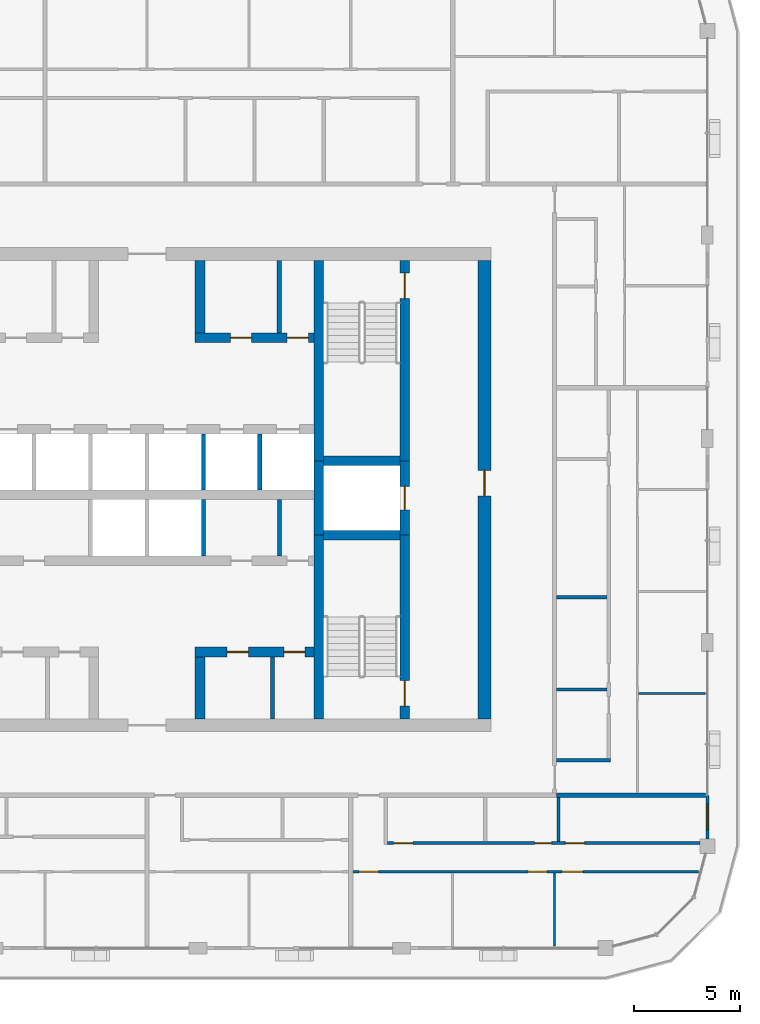
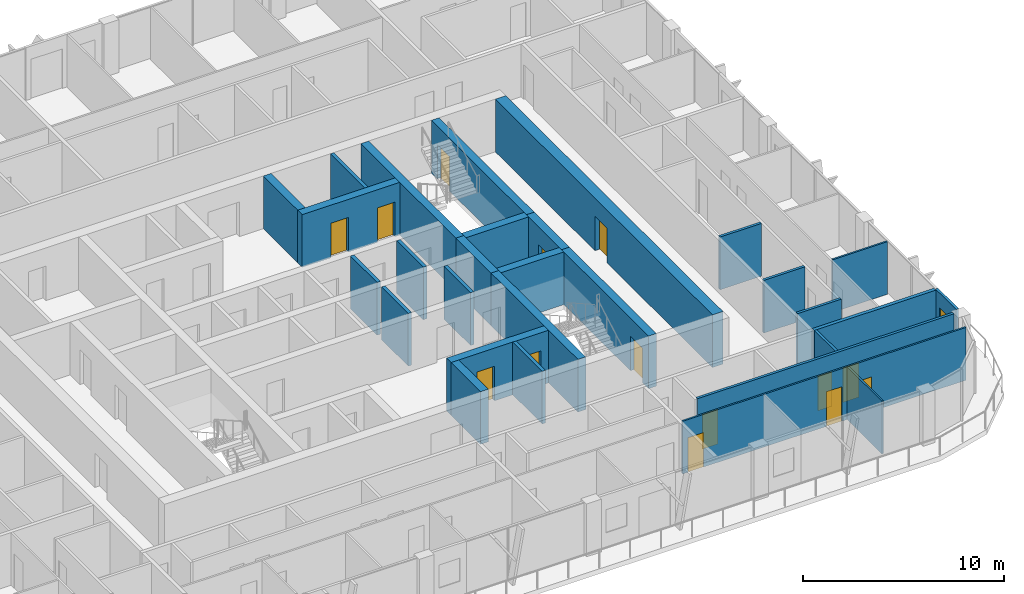
# One storey, part 12 of 21: 29 walls, 14 doors, 1 window, 15 openings.
"""IFC4 building model written with IfcOpenShell, lengths in metres."""

from ifc_helpers import new_model, si_unit, direction, frame, frame_2d, origin, place, context, subcontext, project, spatial, rectangle, extrude, material, layer, layer_set, type_object, element, fill, save


model = new_model("IFC4")

# Units and contexts
model_context = context("Model", 3, precision=1e-05, world=origin(), true_north=direction((0.0, 1.0)))
body_context = subcontext(model_context, "Body", "Model", "MODEL_VIEW")
ifc_project = project(units=[si_unit("LENGTHUNIT", "METRE"), si_unit("AREAUNIT", "SQUARE_METRE"), si_unit("VOLUMEUNIT", "CUBIC_METRE"), si_unit("PLANEANGLEUNIT", "RADIAN"), si_unit("MASSUNIT", "GRAM", prefix="KILO")], contexts=[model_context])

# Site, building, storey
site_placement = place(None, origin())
site = spatial("IfcSite", under=ifc_project, at=site_placement, CompositionType="ELEMENT")
building_placement = place(site_placement, origin())
building = spatial("IfcBuilding", under=site, at=building_placement, Name="Madar Terraces", CompositionType="ELEMENT")
storey_placement = place(building_placement, frame((0.0, 0.0, 238.699951171875)))
storey = spatial("IfcBuildingStorey", under=building, at=storey_placement, Name="L62", CompositionType="ELEMENT", Elevation=238.699951171875)

# Walls
ifc_material_1 = material(Name="Concrete C55/67", Category="concrete")
ifc_layer_1 = layer(ifc_material_1, 0.449951171875)
ifc_layer_set_1 = layer_set([ifc_layer_1], Name="Concrete C55/67 (CIW5 RC wall 450)")
wall_type_1 = type_object("IfcWallType", Name="CIW5 RC wall 450", PredefinedType="SHEAR", material=ifc_layer_set_1)
wall_1_placement = place(storey_placement, frame((39.300048828125, 15.60009765625, 0.0), z_axis=(0.0, 0.0, 1.0), x_axis=(0.0, 1.0, 0.0)))
element("IfcWall", 1, at=wall_1_placement, inside=storey, type_object=wall_type_1, Name="CORE SHAFT WALL", PredefinedType="SHEAR", context=body_context, shape_type="SweptSolid", body=[
    extrude(rectangle(XDim=8.64990234375, YDim=0.449951171875, at=frame_2d((4.324951171875, 0.0))), origin(), (0.0, 0.0, 1.0), 3.199951171875),
])
wall_2_placement = place(storey_placement, frame((39.300048828125, 24.25, 0.0), z_axis=(0.0, 0.0, 1.0), x_axis=(0.0, 1.0, 0.0)))
element("IfcWall", 2, at=wall_2_placement, inside=storey, type_object=wall_type_1, Name="CORE SHAFT WALL", PredefinedType="SHEAR", context=body_context, shape_type="SweptSolid", body=[
    extrude(rectangle(XDim=3.5, YDim=0.449951171875, at=frame_2d((1.75, 0.0))), origin(), (0.0, 0.0, 1.0), 3.199951171875),
])
wall_3_placement = place(storey_placement, frame((39.300048828125, 27.75, 0.0), z_axis=(0.0, 0.0, 1.0), x_axis=(0.0, 1.0, 0.0)))
element("IfcWall", 3, at=wall_3_placement, inside=storey, type_object=wall_type_1, Name="CORE SHAFT WALL", PredefinedType="SHEAR", context=body_context, shape_type="SweptSolid", body=[
    extrude(rectangle(XDim=9.449951171875, YDim=0.449951171875, at=frame_2d((4.72509765625, 0.0))), origin(), (0.0, 0.0, 1.0), 3.199951171875),
])

# Wall, opening, door
wall_4_placement = place(storey_placement, frame((43.35009765625, 15.60009765625, 0.0), z_axis=(0.0, 0.0, 1.0), x_axis=(0.0, 1.0, 0.0)))
wall_4 = element("IfcWall", 4, at=wall_4_placement, inside=storey, type_object=wall_type_1, Name="CORE SHAFT WALL", PredefinedType="SHEAR", context=body_context, shape_type="SweptSolid", body=[
    extrude(rectangle(XDim=8.64990234375, YDim=0.449951171875, at=frame_2d((4.324951171875, 0.0))), origin(), (0.0, 0.0, 1.0), 3.199951171875),
])
opening_1_placement = place(wall_4_placement, frame((0.60009765625, 0.0, 0.0)))
opening_1 = element("IfcOpeningElement", 5, at=opening_1_placement, cuts=wall_4, Name="Opening SD1", PredefinedType="OPENING", context=body_context, shape_type="SweptSolid", body=[
    extrude(rectangle(XDim=1.199951171875, YDim=2.10009765625, at=frame_2d((0.60009765625, 1.050048828125))), frame((0.0, 0.23486328125, 0.0), z_axis=(0.0, -1.0, 0.0), x_axis=(1.0, 0.0, 0.0)), (0.0, 0.0, 1.0), 0.469970703125),
])
ifc_material_2 = material(Name="Steel door leaf", Category="steel")
door_type_1 = type_object("IfcDoorType", Name="Stair door 1200 x 2100", OperationType="NOTDEFINED", PredefinedType="DOOR", material=ifc_material_2)
door_1_placement = place(opening_1_placement, origin())
door_1 = element("IfcDoor", 6, at=door_1_placement, inside=storey, type_object=door_type_1, Name="STAIR DOOR", OperationType="SINGLE_SWING_LEFT", OverallHeight=2.10009765625, OverallWidth=1.199951171875, PredefinedType="DOOR", context=body_context, shape_type="SweptSolid", body=[
    extrude(rectangle(XDim=1.199951171875, YDim=2.10009765625, at=frame_2d((0.60009765625, 1.050048828125))), frame((0.0, 0.02490234375, 0.0), z_axis=(0.0, -1.0, 0.0), x_axis=(1.0, 0.0, 0.0)), (0.0, 0.0, 1.0), 0.050048828125),
])
fill(opening_1, door_1)

wall_5_placement = place(storey_placement, frame((43.35009765625, 24.25, 0.0), z_axis=(0.0, 0.0, 1.0), x_axis=(0.0, 1.0, 0.0)))
wall_5 = element("IfcWall", 7, at=wall_5_placement, inside=storey, type_object=wall_type_1, Name="CORE SHAFT WALL", PredefinedType="SHEAR", context=body_context, shape_type="SweptSolid", body=[
    extrude(rectangle(XDim=3.5, YDim=0.449951171875, at=frame_2d((1.75, 0.0))), origin(), (0.0, 0.0, 1.0), 3.199951171875),
])
opening_2_placement = place(wall_5_placement, frame((1.199951171875, 0.0, 0.0)))
opening_2 = element("IfcOpeningElement", 8, at=opening_2_placement, cuts=wall_5, Name="Opening LD", PredefinedType="OPENING", context=body_context, shape_type="SweptSolid", body=[
    extrude(rectangle(XDim=1.10009765625, YDim=2.10009765625, at=frame_2d((0.550048828125, 1.050048828125))), frame((0.0, 0.23486328125, 0.0), z_axis=(0.0, -1.0, 0.0), x_axis=(1.0, 0.0, 0.0)), (0.0, 0.0, 1.0), 0.469970703125),
])
ifc_material_3 = material(Name="Stainless steel panel", Category="steel")
door_type_2 = type_object("IfcDoorType", Name="Lift landing door 1100 x 2100", OperationType="DOUBLE_DOOR_SLIDING", PredefinedType="DOOR", material=ifc_material_3)
door_2_placement = place(opening_2_placement, origin())
door_2 = element("IfcDoor", 9, at=door_2_placement, inside=storey, type_object=door_type_2, Name="LIFT LANDING DOOR", OperationType="DOUBLE_DOOR_SLIDING", OverallHeight=2.10009765625, OverallWidth=1.10009765625, PredefinedType="DOOR", context=body_context, shape_type="SweptSolid", body=[
    extrude(rectangle(XDim=1.10009765625, YDim=2.10009765625, at=frame_2d((0.550048828125, 1.050048828125))), frame((0.0, 0.02490234375, 0.0), z_axis=(0.0, -1.0, 0.0), x_axis=(1.0, 0.0, 0.0)), (0.0, 0.0, 1.0), 0.050048828125),
])
fill(opening_2, door_2)

wall_6_placement = place(storey_placement, frame((43.35009765625, 27.75, 0.0), z_axis=(0.0, 0.0, 1.0), x_axis=(0.0, 1.0, 0.0)))
wall_6 = element("IfcWall", 10, at=wall_6_placement, inside=storey, type_object=wall_type_1, Name="CORE SHAFT WALL", PredefinedType="SHEAR", context=body_context, shape_type="SweptSolid", body=[
    extrude(rectangle(XDim=9.449951171875, YDim=0.449951171875, at=frame_2d((4.72509765625, 0.0))), origin(), (0.0, 0.0, 1.0), 3.199951171875),
])
opening_3_placement = place(wall_6_placement, frame((7.64990234375, 0.0, 0.0)))
opening_3 = element("IfcOpeningElement", 11, at=opening_3_placement, cuts=wall_6, Name="Opening SD1", PredefinedType="OPENING", context=body_context, shape_type="SweptSolid", body=[
    extrude(rectangle(XDim=1.199951171875, YDim=2.10009765625, at=frame_2d((0.60009765625, 1.050048828125))), frame((0.0, 0.23486328125, 0.0), z_axis=(0.0, -1.0, 0.0), x_axis=(1.0, 0.0, 0.0)), (0.0, 0.0, 1.0), 0.469970703125),
])
door_3_placement = place(opening_3_placement, origin())
door_3 = element("IfcDoor", 12, at=door_3_placement, inside=storey, type_object=door_type_1, Name="STAIR DOOR", OperationType="SINGLE_SWING_RIGHT", OverallHeight=2.10009765625, OverallWidth=1.199951171875, PredefinedType="DOOR", context=body_context, shape_type="SweptSolid", body=[
    extrude(rectangle(XDim=1.199951171875, YDim=2.10009765625, at=frame_2d((0.60009765625, 1.050048828125))), frame((0.0, 0.02490234375, 0.0), z_axis=(0.0, -1.0, 0.0), x_axis=(1.0, 0.0, 0.0)), (0.0, 0.0, 1.0), 0.050048828125),
])
fill(opening_3, door_3)

# Walls
for number, where, z_axis, x_axis, name in (
    (13, (39.52490234375, 24.25, 0.0), (0.0, 0.0, 1.0), (1.0, 0.0, 0.0), "CORE SHAFT WALL"),
    (14, (39.52490234375, 27.75, 0.0), (0.0, 0.0, 1.0), (1.0, 0.0, 0.0), "CORE SHAFT WALL"),
):
    element("IfcWall", number, at=place(storey_placement, frame(where, z_axis=z_axis, x_axis=x_axis)), inside=storey, type_object=wall_type_1, Name=name, PredefinedType="SHEAR", context=body_context, shape_type="SweptSolid", body=[
        extrude(rectangle(XDim=3.60009765625, YDim=0.449951171875, at=frame_2d((1.800048828125, 0.0))), origin(), (0.0, 0.0, 1.0), 3.199951171875),
    ])

# Wall, openings, doors
wall_7_placement = place(storey_placement, frame((33.47509765625, 18.75, 0.0), z_axis=(0.0, 0.0, 1.0), x_axis=(1.0, 0.0, 0.0)))
wall_7 = element("IfcWall", 15, at=wall_7_placement, inside=storey, type_object=wall_type_1, Name="CORE SHAFT WALL", PredefinedType="SHEAR", context=body_context, shape_type="SweptSolid", body=[
    extrude(rectangle(XDim=5.599853515625, YDim=0.449951171875, at=frame_2d((2.7998046875, 0.0))), origin(), (0.0, 0.0, 1.0), 3.199951171875),
])
opening_4_placement = place(wall_7_placement, frame((1.49658203125, 0.0, 0.0)))
opening_4 = element("IfcOpeningElement", 16, at=opening_4_placement, cuts=wall_7, Name="Opening KD2", PredefinedType="OPENING", context=body_context, shape_type="SweptSolid", body=[
    extrude(rectangle(XDim=1.0, YDim=2.10009765625, at=frame_2d((0.5, 1.050048828125))), frame((0.0, 0.23486328125, 0.0), z_axis=(0.0, -1.0, 0.0), x_axis=(1.0, 0.0, 0.0)), (0.0, 0.0, 1.0), 0.469970703125),
])
opening_5_placement = place(wall_7_placement, frame((4.17138671875, 0.0, 0.0)))
opening_5 = element("IfcOpeningElement", 17, at=opening_5_placement, cuts=wall_7, Name="Opening KD2", PredefinedType="OPENING", context=body_context, shape_type="SweptSolid", body=[
    extrude(rectangle(XDim=1.0, YDim=2.10009765625, at=frame_2d((0.5, 1.050048828125))), frame((0.0, 0.23486328125, 0.0), z_axis=(0.0, -1.0, 0.0), x_axis=(1.0, 0.0, 0.0)), (0.0, 0.0, 1.0), 0.469970703125),
])
ifc_material_4 = material(Name="Steel door leaf", Category="steel")
door_type_3 = type_object("IfcDoorType", Name="Service room door 1000 x 2100", OperationType="NOTDEFINED", PredefinedType="DOOR", material=ifc_material_4)
door_4_placement = place(opening_4_placement, origin())
door_4 = element("IfcDoor", 18, at=door_4_placement, inside=storey, type_object=door_type_3, Name="SERVICE ROOM DOOR", OperationType="SINGLE_SWING_RIGHT", OverallHeight=2.10009765625, OverallWidth=1.0, PredefinedType="DOOR", context=body_context, shape_type="SweptSolid", body=[
    extrude(rectangle(XDim=1.0, YDim=2.10009765625, at=frame_2d((0.5, 1.050048828125))), frame((0.0, 0.02490234375, 0.0), z_axis=(0.0, -1.0, 0.0), x_axis=(1.0, 0.0, 0.0)), (0.0, 0.0, 1.0), 0.050048828125),
])
fill(opening_4, door_4)
door_5_placement = place(opening_5_placement, origin())
door_5 = element("IfcDoor", 19, at=door_5_placement, inside=storey, type_object=door_type_3, Name="SERVICE ROOM DOOR", OperationType="SINGLE_SWING_LEFT", OverallHeight=2.10009765625, OverallWidth=1.0, PredefinedType="DOOR", context=body_context, shape_type="SweptSolid", body=[
    extrude(rectangle(XDim=1.0, YDim=2.10009765625, at=frame_2d((0.5, 1.050048828125))), frame((0.0, 0.02490234375, 0.0), z_axis=(0.0, -1.0, 0.0), x_axis=(1.0, 0.0, 0.0)), (0.0, 0.0, 1.0), 0.050048828125),
])
fill(opening_5, door_5)

wall_8_placement = place(storey_placement, frame((33.47509765625, 33.550048828125, 0.0), z_axis=(0.0, 0.0, 1.0), x_axis=(1.0, 0.0, 0.0)))
wall_8 = element("IfcWall", 20, at=wall_8_placement, inside=storey, type_object=wall_type_1, Name="CORE SHAFT WALL", PredefinedType="SHEAR", context=body_context, shape_type="SweptSolid", body=[
    extrude(rectangle(XDim=5.599853515625, YDim=0.449951171875, at=frame_2d((2.7998046875, 0.0))), origin(), (0.0, 0.0, 1.0), 3.199951171875),
])
opening_6_placement = place(wall_8_placement, frame((1.65087890625, 0.0, 0.0)))
opening_6 = element("IfcOpeningElement", 21, at=opening_6_placement, cuts=wall_8, Name="Opening KD2", PredefinedType="OPENING", context=body_context, shape_type="SweptSolid", body=[
    extrude(rectangle(XDim=1.0, YDim=2.10009765625, at=frame_2d((0.5, 1.050048828125))), frame((0.0, 0.23486328125, 0.0), z_axis=(0.0, -1.0, 0.0), x_axis=(1.0, 0.0, 0.0)), (0.0, 0.0, 1.0), 0.469970703125),
])
opening_7_placement = place(wall_8_placement, frame((4.325927734375, 0.0, 0.0)))
opening_7 = element("IfcOpeningElement", 22, at=opening_7_placement, cuts=wall_8, Name="Opening KD2", PredefinedType="OPENING", context=body_context, shape_type="SweptSolid", body=[
    extrude(rectangle(XDim=1.0, YDim=2.10009765625, at=frame_2d((0.5, 1.050048828125))), frame((0.0, 0.23486328125, 0.0), z_axis=(0.0, -1.0, 0.0), x_axis=(1.0, 0.0, 0.0)), (0.0, 0.0, 1.0), 0.469970703125),
])
door_6_placement = place(opening_6_placement, frame((1.0, 0.0, 0.0), z_axis=(0.0, 0.0, 1.0), x_axis=(-1.0, 0.0, 0.0)))
door_6 = element("IfcDoor", 23, at=door_6_placement, inside=storey, type_object=door_type_3, Name="SERVICE ROOM DOOR", OperationType="SINGLE_SWING_RIGHT", OverallHeight=2.10009765625, OverallWidth=1.0, PredefinedType="DOOR", context=body_context, shape_type="SweptSolid", body=[
    extrude(rectangle(XDim=1.0, YDim=2.10009765625, at=frame_2d((0.5, 1.050048828125))), frame((0.0, 0.02490234375, 0.0), z_axis=(0.0, -1.0, 0.0), x_axis=(1.0, 0.0, 0.0)), (0.0, 0.0, 1.0), 0.050048828125),
])
fill(opening_6, door_6)
door_7_placement = place(opening_7_placement, frame((1.0, 0.0, 0.0), z_axis=(0.0, 0.0, 1.0), x_axis=(-1.0, 0.0, 0.0)))
door_7 = element("IfcDoor", 24, at=door_7_placement, inside=storey, type_object=door_type_3, Name="SERVICE ROOM DOOR", OperationType="SINGLE_SWING_LEFT", OverallHeight=2.10009765625, OverallWidth=1.0, PredefinedType="DOOR", context=body_context, shape_type="SweptSolid", body=[
    extrude(rectangle(XDim=1.0, YDim=2.10009765625, at=frame_2d((0.5, 1.050048828125))), frame((0.0, 0.02490234375, 0.0), z_axis=(0.0, -1.0, 0.0), x_axis=(1.0, 0.0, 0.0)), (0.0, 0.0, 1.0), 0.050048828125),
])
fill(opening_7, door_7)

# Walls
wall_9_placement = place(storey_placement, frame((33.699951171875, 15.60009765625, 0.0), z_axis=(0.0, 0.0, 1.0), x_axis=(0.0, 1.0, 0.0)))
element("IfcWall", 25, at=wall_9_placement, inside=storey, type_object=wall_type_1, Name="CORE SHAFT WALL", PredefinedType="SHEAR", context=body_context, shape_type="SweptSolid", body=[
    extrude(rectangle(XDim=2.9248046875, YDim=0.449951171875, at=frame_2d((1.46240234375, 0.0))), origin(), (0.0, 0.0, 1.0), 3.199951171875),
])
wall_10_placement = place(storey_placement, frame((33.699951171875, 33.77490234375, 0.0), z_axis=(0.0, 0.0, 1.0), x_axis=(0.0, 1.0, 0.0)))
element("IfcWall", 26, at=wall_10_placement, inside=storey, type_object=wall_type_1, Name="CORE SHAFT WALL", PredefinedType="SHEAR", context=body_context, shape_type="SweptSolid", body=[
    extrude(rectangle(XDim=3.425048828125, YDim=0.449951171875, at=frame_2d((1.71240234375, 0.0))), origin(), (0.0, 0.0, 1.0), 3.199951171875),
])

# Wall, opening, door
ifc_material_5 = material(Name="Concrete C55/67", Category="concrete")
ifc_layer_2 = layer(ifc_material_5, 0.60009765625)
ifc_layer_set_2 = layer_set([ifc_layer_2], Name="Concrete C55/67 (CRW5 RC wall 600)")
wall_type_2 = type_object("IfcWallType", Name="CRW5 RC wall 600", PredefinedType="SHEAR", material=ifc_layer_set_2)
wall_11_placement = place(storey_placement, frame((47.10009765625, 15.60009765625, 0.0), z_axis=(0.0, 0.0, 1.0), x_axis=(0.0, 1.0, 0.0)))
wall_11 = element("IfcWall", 27, at=wall_11_placement, inside=storey, type_object=wall_type_2, Name="CORE OUTER WALL", PredefinedType="SHEAR", context=body_context, shape_type="SweptSolid", body=[
    extrude(rectangle(XDim=21.599853515625, YDim=0.60009765625, at=frame_2d((10.7998046875, 0.0))), origin(), (0.0, 0.0, 1.0), 3.199951171875),
])
opening_8_placement = place(wall_11_placement, frame((10.5, 0.0, 0.0)))
opening_8 = element("IfcOpeningElement", 28, at=opening_8_placement, cuts=wall_11, Name="Opening SD1", PredefinedType="OPENING", context=body_context, shape_type="SweptSolid", body=[
    extrude(rectangle(XDim=1.199951171875, YDim=2.10009765625, at=frame_2d((0.60009765625, 1.050048828125))), frame((0.0, 0.31005859375, 0.0), z_axis=(0.0, -1.0, 0.0), x_axis=(1.0, 0.0, 0.0)), (0.0, 0.0, 1.0), 0.6201171875),
])
door_8_placement = place(opening_8_placement, origin())
door_8 = element("IfcDoor", 29, at=door_8_placement, inside=storey, type_object=door_type_1, Name="STAIR DOOR", OperationType="SINGLE_SWING_RIGHT", OverallHeight=2.10009765625, OverallWidth=1.199951171875, PredefinedType="DOOR", context=body_context, shape_type="SweptSolid", body=[
    extrude(rectangle(XDim=1.199951171875, YDim=2.10009765625, at=frame_2d((0.60009765625, 1.050048828125))), frame((0.0, 0.02490234375, 0.0), z_axis=(0.0, -1.0, 0.0), x_axis=(1.0, 0.0, 0.0)), (0.0, 0.0, 1.0), 0.050048828125),
])
fill(opening_8, door_8)

# Walls
ifc_material_6 = material(Name="Masonry blockwork", Category="masonry")
ifc_layer_3 = layer(ifc_material_6, 0.199951171875)
ifc_layer_set_3 = layer_set([ifc_layer_3], Name="Core partition 200 blockwork")
wall_type_3 = type_object("IfcWallType", Name="Core partition 200 blockwork", PredefinedType="PARTITIONING", material=ifc_layer_set_3)
wall_12_placement = place(storey_placement, frame((37.437744140625, 23.27490234375, 0.0), z_axis=(0.0, 0.0, 1.0), x_axis=(0.0, 1.0, 0.0)))
element("IfcWall", 30, at=wall_12_placement, inside=storey, type_object=wall_type_3, Name="SERVICE ROOM PARTITION", PredefinedType="PARTITIONING", context=body_context, shape_type="SweptSolid", body=[
    extrude(rectangle(XDim=2.650146484375, YDim=0.199951171875, at=frame_2d((1.3251953125, 0.0))), origin(), (0.0, 0.0, 1.0), 3.199951171875),
])
wall_13_placement = place(storey_placement, frame((37.117919921875, 15.60009765625, 0.0), z_axis=(0.0, 0.0, 1.0), x_axis=(0.0, 1.0, 0.0)))
element("IfcWall", 31, at=wall_13_placement, inside=storey, type_object=wall_type_3, Name="SERVICE ROOM PARTITION", PredefinedType="PARTITIONING", context=body_context, shape_type="SweptSolid", body=[
    extrude(rectangle(XDim=2.9248046875, YDim=0.199951171875, at=frame_2d((1.46240234375, 0.0))), origin(), (0.0, 0.0, 1.0), 3.199951171875),
])
wall_14_placement = place(storey_placement, frame((37.427001953125, 33.77490234375, 0.0), z_axis=(0.0, 0.0, 1.0), x_axis=(0.0, 1.0, 0.0)))
element("IfcWall", 32, at=wall_14_placement, inside=storey, type_object=wall_type_3, Name="SERVICE ROOM PARTITION", PredefinedType="PARTITIONING", context=body_context, shape_type="SweptSolid", body=[
    extrude(rectangle(XDim=3.425048828125, YDim=0.199951171875, at=frame_2d((1.71240234375, 0.0))), origin(), (0.0, 0.0, 1.0), 3.199951171875),
])
ifc_material_7 = material(Name="Concrete C40/50", Category="concrete")
ifc_layer_4 = layer(ifc_material_7, 0.199951171875)
ifc_layer_set_4 = layer_set([ifc_layer_4], Name="Core shaft dividing wall 200 C40/50")
wall_type_4 = type_object("IfcWallType", Name="Core shaft dividing wall 200 C40/50", PredefinedType="SOLIDWALL", material=ifc_layer_set_4)
wall_15_placement = place(storey_placement, frame((33.8583984375, 23.27490234375, 0.0), z_axis=(0.0, 0.0, 1.0), x_axis=(0.0, 1.0, 0.0)))
element("IfcWall", 33, at=wall_15_placement, inside=storey, type_object=wall_type_4, Name="SHAFT DIVIDING WALL", PredefinedType="SOLIDWALL", context=body_context, shape_type="SweptSolid", body=[
    extrude(rectangle(XDim=2.650146484375, YDim=0.199951171875, at=frame_2d((1.3251953125, 0.0))), origin(), (0.0, 0.0, 1.0), 3.199951171875),
])
for number, where, z_axis, x_axis, name in (
    (34, (33.8583984375, 26.375, 0.0), (0.0, 0.0, 1.0), (0.0, 1.0, 0.0), "SHAFT DIVIDING WALL"),
    (35, (36.5166015625, 26.375, 0.0), (0.0, 0.0, 1.0), (0.0, 1.0, 0.0), "SHAFT DIVIDING WALL"),
):
    element("IfcWall", number, at=place(storey_placement, frame(where, z_axis=z_axis, x_axis=x_axis)), inside=storey, type_object=wall_type_4, Name=name, PredefinedType="SOLIDWALL", context=body_context, shape_type="SweptSolid", body=[
        extrude(rectangle(XDim=2.64990234375, YDim=0.199951171875, at=frame_2d((1.324951171875, 0.0))), origin(), (0.0, 0.0, 1.0), 3.199951171875),
    ])

# Wall, opening, window
ifc_material_8 = material(Name="Aluminium composite panel, black, over insulated backing", Category="aluminium")
ifc_layer_5 = layer(ifc_material_8, 0.14990234375)
ifc_layer_set_5 = layer_set([ifc_layer_5], Name="Facade bay panel 150")
wall_type_5 = type_object("IfcWallType", Name="Facade bay panel 150", PredefinedType="SOLIDWALL", material=ifc_layer_set_5)
wall_16_placement = place(storey_placement, frame((57.60009765625, 9.949951171875, 0.0), z_axis=(0.0, 0.0, 1.0), x_axis=(0.0, 1.0, 0.0)))
wall_16 = element("IfcWall", 36, at=wall_16_placement, inside=storey, type_object=wall_type_5, Name="Facade bay panel", PredefinedType="SOLIDWALL", context=body_context, shape_type="SweptSolid", body=[
    extrude(rectangle(XDim=2.050048828125, YDim=0.14990234375, at=frame_2d((1.02490234375, 0.0))), origin(), (0.0, 0.0, 1.0), 3.199951171875),
])
opening_9_placement = place(wall_16_placement, frame((0.425048828125, 0.0, 0.89990234375)))
opening_9 = element("IfcOpeningElement", 37, at=opening_9_placement, cuts=wall_16, Name="Opening W1", PredefinedType="OPENING", context=body_context, shape_type="SweptSolid", body=[
    extrude(rectangle(XDim=1.199951171875, YDim=1.39990234375, at=frame_2d((0.60009765625, 0.699951171875))), frame((0.0, 0.0849609375, 0.0), z_axis=(0.0, -1.0, 0.0), x_axis=(1.0, 0.0, 0.0)), (0.0, 0.0, 1.0), 0.169921875),
])
ifc_material_9 = material(Name="Glass, clear, with black aluminium frame", Category="aluminium")
window_type = type_object("IfcWindowType", Name="Vent window 1200 x 1400", PartitioningType="SINGLE_PANEL", PredefinedType="WINDOW", material=ifc_material_9)
window_placement = place(opening_9_placement, origin())
window = element("IfcWindow", 38, at=window_placement, inside=storey, type_object=window_type, Name="Operable vent window", OverallHeight=1.39990234375, OverallWidth=1.199951171875, PartitioningType="SINGLE_PANEL", PredefinedType="WINDOW", context=body_context, shape_type="SweptSolid", body=[
    extrude(rectangle(XDim=1.199951171875, YDim=1.39990234375, at=frame_2d((0.60009765625, 0.699951171875))), frame((0.0, 0.030029296875, 0.0), z_axis=(0.0, -1.0, 0.0), x_axis=(1.0, 0.0, 0.0)), (0.0, 0.0, 1.0), 0.06005859375),
])
fill(opening_9, window)

# Wall
ifc_material_10 = material(Name="Gypsum board on steel studs", Category="steel")
ifc_layer_6 = layer(ifc_material_10, 0.10009765625)
ifc_layer_set_6 = layer_set([ifc_layer_6], Name="Flat partition 100")
wall_type_6 = type_object("IfcWallType", Name="Flat partition 100", PredefinedType="PARTITIONING", material=ifc_layer_set_6)
wall_17_placement = place(storey_placement, frame((50.39990234375, 8.35009765625, 0.0), z_axis=(0.0, 0.0, 1.0), x_axis=(0.0, -1.0, 0.0)))
element("IfcWall", 39, at=wall_17_placement, inside=storey, type_object=wall_type_6, Name="Flat partition 100", PredefinedType="PARTITIONING", context=body_context, shape_type="SweptSolid", body=[
    extrude(rectangle(XDim=3.4501953125, YDim=0.10009765625, at=frame_2d((1.72509765625, 0.0))), origin(), (0.0, 0.0, 1.0), 3.199951171875),
])

# Wall, openings, doors
wall_18_placement = place(storey_placement, frame((57.178466796875, 8.39990234375, 0.0), z_axis=(0.0, 0.0, 1.0), x_axis=(-1.0, 0.0, 0.0)))
wall_18 = element("IfcWall", 40, at=wall_18_placement, inside=storey, type_object=wall_type_6, Name="Flat partition 100", PredefinedType="PARTITIONING", context=body_context, shape_type="SweptSolid", body=[
    extrude(rectangle(XDim=16.278564453125, YDim=0.10009765625, at=frame_2d((8.13916015625, 0.0))), origin(), (0.0, 0.0, 1.0), 3.199951171875),
])
opening_10_placement = place(wall_18_placement, frame((15.07861328125, 0.0, 0.0)))
opening_10 = element("IfcOpeningElement", 41, at=opening_10_placement, cuts=wall_18, Name="Opening D2", PredefinedType="OPENING", context=body_context, shape_type="SweptSolid", body=[
    extrude(rectangle(XDim=0.89990234375, YDim=2.10009765625, at=frame_2d((0.449951171875, 1.050048828125))), frame((0.0, 0.06005859375, 0.0), z_axis=(0.0, -1.0, 0.0), x_axis=(1.0, 0.0, 0.0)), (0.0, 0.0, 1.0), 0.1201171875),
])
opening_11_placement = place(wall_18_placement, frame((7.12841796875, 0.0, 0.0)))
opening_11 = element("IfcOpeningElement", 42, at=opening_11_placement, cuts=wall_18, Name="Opening D2", PredefinedType="OPENING", context=body_context, shape_type="SweptSolid", body=[
    extrude(rectangle(XDim=0.89990234375, YDim=2.10009765625, at=frame_2d((0.449951171875, 1.050048828125))), frame((0.0, 0.06005859375, 0.0), z_axis=(0.0, -1.0, 0.0), x_axis=(1.0, 0.0, 0.0)), (0.0, 0.0, 1.0), 0.1201171875),
])
opening_12_placement = place(wall_18_placement, frame((5.428466796875, 0.0, 0.0)))
opening_12 = element("IfcOpeningElement", 43, at=opening_12_placement, cuts=wall_18, Name="Opening D3", PredefinedType="OPENING", context=body_context, shape_type="SweptSolid", body=[
    extrude(rectangle(XDim=1.0, YDim=2.10009765625, at=frame_2d((0.5, 1.050048828125))), frame((0.0, 0.06005859375, 0.0), z_axis=(0.0, -1.0, 0.0), x_axis=(1.0, 0.0, 0.0)), (0.0, 0.0, 1.0), 0.1201171875),
])
ifc_material_11 = material(Name="Timber door leaf", Category="wood")
door_type_4 = type_object("IfcDoorType", Name="Flat living room door 1000", OperationType="NOTDEFINED", PredefinedType="DOOR", material=ifc_material_11)
door_9_placement = place(opening_12_placement, origin())
door_9 = element("IfcDoor", 44, at=door_9_placement, inside=storey, type_object=door_type_4, Name="Flat living room door 1000", OperationType="SINGLE_SWING_RIGHT", OverallHeight=2.10009765625, OverallWidth=1.0, PredefinedType="DOOR", context=body_context, shape_type="SweptSolid", body=[
    extrude(rectangle(XDim=1.0, YDim=2.10009765625, at=frame_2d((0.5, 1.050048828125))), frame((0.0, 0.02490234375, 0.0), z_axis=(0.0, -1.0, 0.0), x_axis=(1.0, 0.0, 0.0)), (0.0, 0.0, 1.0), 0.050048828125),
])
fill(opening_12, door_9)
ifc_material_12 = material(Name="Timber door leaf", Category="wood")
door_type_5 = type_object("IfcDoorType", Name="Flat room door 900", OperationType="NOTDEFINED", PredefinedType="DOOR", material=ifc_material_12)
door_10_placement = place(opening_10_placement, origin())
door_10 = element("IfcDoor", 45, at=door_10_placement, inside=storey, type_object=door_type_5, Name="Flat room door 900", OperationType="SINGLE_SWING_RIGHT", OverallHeight=2.10009765625, OverallWidth=0.89990234375, PredefinedType="DOOR", context=body_context, shape_type="SweptSolid", body=[
    extrude(rectangle(XDim=0.89990234375, YDim=2.10009765625, at=frame_2d((0.449951171875, 1.050048828125))), frame((0.0, 0.02490234375, 0.0), z_axis=(0.0, -1.0, 0.0), x_axis=(1.0, 0.0, 0.0)), (0.0, 0.0, 1.0), 0.050048828125),
])
fill(opening_10, door_10)
door_11_placement = place(opening_11_placement, origin())
door_11 = element("IfcDoor", 46, at=door_11_placement, inside=storey, type_object=door_type_5, Name="Flat room door 900", OperationType="SINGLE_SWING_LEFT", OverallHeight=2.10009765625, OverallWidth=0.89990234375, PredefinedType="DOOR", context=body_context, shape_type="SweptSolid", body=[
    extrude(rectangle(XDim=0.89990234375, YDim=2.10009765625, at=frame_2d((0.449951171875, 1.050048828125))), frame((0.0, 0.02490234375, 0.0), z_axis=(0.0, -1.0, 0.0), x_axis=(1.0, 0.0, 0.0)), (0.0, 0.0, 1.0), 0.050048828125),
])
fill(opening_11, door_11)

# Walls
wall_19_placement = place(storey_placement, frame((54.35009765625, 16.800048828125, 0.0), z_axis=(0.0, 0.0, 1.0), x_axis=(1.0, 0.0, 0.0)))
element("IfcWall", 47, at=wall_19_placement, inside=storey, type_object=wall_type_6, Name="Flat partition 100", PredefinedType="PARTITIONING", context=body_context, shape_type="SweptSolid", body=[
    extrude(rectangle(XDim=3.14990234375, YDim=0.10009765625, at=frame_2d((1.574951171875, 0.0))), origin(), (0.0, 0.0, 1.0), 3.199951171875),
])
ifc_material_13 = material(Name="Lightweight blockwork", Category="masonry")
ifc_layer_7 = layer(ifc_material_13, 0.199951171875)
ifc_layer_set_7 = layer_set([ifc_layer_7], Name="Flat party and entrance wall 200")
wall_type_7 = type_object("IfcWallType", Name="Flat party and entrance wall 200", PredefinedType="PARTITIONING", material=ifc_layer_set_7)
wall_20_placement = place(storey_placement, frame((50.5, 12.0, 0.0), z_axis=(0.0, 0.0, 1.0), x_axis=(1.0, 0.0, 0.0)))
element("IfcWall", 48, at=wall_20_placement, inside=storey, type_object=wall_type_7, Name="Flat party and entrance wall 200", PredefinedType="PARTITIONING", context=body_context, shape_type="SweptSolid", body=[
    extrude(rectangle(XDim=7.0, YDim=0.199951171875, at=frame_2d((3.5, 0.0))), origin(), (0.0, 0.0, 1.0), 3.199951171875),
])
ifc_material_14 = material(Name="Lightweight blockwork", Category="masonry")
ifc_layer_8 = layer(ifc_material_14, 0.14990234375)
ifc_layer_set_8 = layer_set([ifc_layer_8], Name="Flat wet-room partition 150")
wall_type_8 = type_object("IfcWallType", Name="Flat wet-room partition 150", PredefinedType="PARTITIONING", material=ifc_layer_set_8)
wall_21_placement = place(storey_placement, frame((50.58837890625, 11.89990234375, 0.0), z_axis=(0.0, 0.0, 1.0), x_axis=(0.0, -1.0, 0.0)))
element("IfcWall", 49, at=wall_21_placement, inside=storey, type_object=wall_type_8, Name="Flat wet-room partition 150", PredefinedType="PARTITIONING", context=body_context, shape_type="SweptSolid", body=[
    extrude(rectangle(XDim=2.074951171875, YDim=0.14990234375, at=frame_2d((1.03759765625, 0.0))), origin(), (0.0, 0.0, 1.0), 3.199951171875),
])

# Wall, openings, doors
wall_22_placement = place(storey_placement, frame((42.52490234375, 9.75, 0.0), z_axis=(0.0, 0.0, 1.0), x_axis=(1.0, 0.0, 0.0)))
wall_22 = element("IfcWall", 50, at=wall_22_placement, inside=storey, type_object=wall_type_8, Name="Flat wet-room partition 150", PredefinedType="PARTITIONING", context=body_context, shape_type="SweptSolid", body=[
    extrude(rectangle(XDim=14.72509765625, YDim=0.14990234375, at=frame_2d((7.362548828125, 0.0))), origin(), (0.0, 0.0, 1.0), 3.199951171875),
])
opening_13_placement = place(wall_22_placement, frame((0.300048828125, 0.0, 0.0)))
opening_13 = element("IfcOpeningElement", 51, at=opening_13_placement, cuts=wall_22, Name="Opening D5", PredefinedType="OPENING", context=body_context, shape_type="SweptSolid", body=[
    extrude(rectangle(XDim=0.89990234375, YDim=2.10009765625, at=frame_2d((0.449951171875, 1.050048828125))), frame((0.0, 0.0849609375, 0.0), z_axis=(0.0, -1.0, 0.0), x_axis=(1.0, 0.0, 0.0)), (0.0, 0.0, 1.0), 0.169921875),
])
opening_14_placement = place(wall_22_placement, frame((6.9384765625, 0.0, 0.0)))
opening_14 = element("IfcOpeningElement", 52, at=opening_14_placement, cuts=wall_22, Name="Opening D4", PredefinedType="OPENING", context=body_context, shape_type="SweptSolid", body=[
    extrude(rectangle(XDim=0.800048828125, YDim=2.10009765625, at=frame_2d((0.39990234375, 1.050048828125))), frame((0.0, 0.0849609375, 0.0), z_axis=(0.0, -1.0, 0.0), x_axis=(1.0, 0.0, 0.0)), (0.0, 0.0, 1.0), 0.169921875),
])
opening_15_placement = place(wall_22_placement, frame((8.388427734375, 0.0, 0.0)))
opening_15 = element("IfcOpeningElement", 53, at=opening_15_placement, cuts=wall_22, Name="Opening D2", PredefinedType="OPENING", context=body_context, shape_type="SweptSolid", body=[
    extrude(rectangle(XDim=0.89990234375, YDim=2.10009765625, at=frame_2d((0.449951171875, 1.050048828125))), frame((0.0, 0.0849609375, 0.0), z_axis=(0.0, -1.0, 0.0), x_axis=(1.0, 0.0, 0.0)), (0.0, 0.0, 1.0), 0.169921875),
])
ifc_material_15 = material(Name="Timber door leaf", Category="wood")
door_type_6 = type_object("IfcDoorType", Name="Flat accessible bathroom door 900", OperationType="NOTDEFINED", PredefinedType="DOOR", material=ifc_material_15)
door_12_placement = place(opening_13_placement, origin())
door_12 = element("IfcDoor", 54, at=door_12_placement, inside=storey, type_object=door_type_6, Name="Flat accessible bathroom door 900", OperationType="SINGLE_SWING_LEFT", OverallHeight=2.10009765625, OverallWidth=0.89990234375, PredefinedType="DOOR", context=body_context, shape_type="SweptSolid", body=[
    extrude(rectangle(XDim=0.89990234375, YDim=2.10009765625, at=frame_2d((0.449951171875, 1.050048828125))), frame((0.0, 0.02490234375, 0.0), z_axis=(0.0, -1.0, 0.0), x_axis=(1.0, 0.0, 0.0)), (0.0, 0.0, 1.0), 0.050048828125),
])
fill(opening_13, door_12)
ifc_material_16 = material(Name="Timber door leaf", Category="wood")
door_type_7 = type_object("IfcDoorType", Name="Flat bathroom door 800", OperationType="NOTDEFINED", PredefinedType="DOOR", material=ifc_material_16)
door_13_placement = place(opening_14_placement, origin())
door_13 = element("IfcDoor", 55, at=door_13_placement, inside=storey, type_object=door_type_7, Name="Flat bathroom door 800", OperationType="SINGLE_SWING_RIGHT", OverallHeight=2.10009765625, OverallWidth=0.800048828125, PredefinedType="DOOR", context=body_context, shape_type="SweptSolid", body=[
    extrude(rectangle(XDim=0.800048828125, YDim=2.10009765625, at=frame_2d((0.39990234375, 1.050048828125))), frame((0.0, 0.02490234375, 0.0), z_axis=(0.0, -1.0, 0.0), x_axis=(1.0, 0.0, 0.0)), (0.0, 0.0, 1.0), 0.050048828125),
])
fill(opening_14, door_13)
door_14_placement = place(opening_15_placement, origin())
door_14 = element("IfcDoor", 56, at=door_14_placement, inside=storey, type_object=door_type_5, Name="Flat room door 900", OperationType="SINGLE_SWING_LEFT", OverallHeight=2.10009765625, OverallWidth=0.89990234375, PredefinedType="DOOR", context=body_context, shape_type="SweptSolid", body=[
    extrude(rectangle(XDim=0.89990234375, YDim=2.10009765625, at=frame_2d((0.449951171875, 1.050048828125))), frame((0.0, 0.02490234375, 0.0), z_axis=(0.0, -1.0, 0.0), x_axis=(1.0, 0.0, 0.0)), (0.0, 0.0, 1.0), 0.050048828125),
])
fill(opening_15, door_14)

# Walls
for number, where, z_axis, x_axis, name in (
    (57, (50.5, 16.98291015625, 0.0), (0.0, 0.0, 1.0), (1.0, 0.0, 0.0), "Flat wet-room partition 150"),
    (58, (50.5, 21.32666015625, 0.0), (0.0, 0.0, 1.0), (1.0, 0.0, 0.0), "Flat wet-room partition 150"),
):
    element("IfcWall", number, at=place(storey_placement, frame(where, z_axis=z_axis, x_axis=x_axis)), inside=storey, type_object=wall_type_8, Name=name, PredefinedType="PARTITIONING", context=body_context, shape_type="SweptSolid", body=[
        extrude(rectangle(XDim=2.375, YDim=0.14990234375, at=frame_2d((1.1875, 0.0))), origin(), (0.0, 0.0, 1.0), 3.199951171875),
    ])
wall_23_placement = place(storey_placement, frame((50.5, 13.64990234375, 0.0), z_axis=(0.0, 0.0, 1.0), x_axis=(1.0, 0.0, 0.0)))
element("IfcWall", 59, at=wall_23_placement, inside=storey, type_object=wall_type_8, Name="Flat wet-room partition 150", PredefinedType="PARTITIONING", context=body_context, shape_type="SweptSolid", body=[
    extrude(rectangle(XDim=2.52490234375, YDim=0.14990234375, at=frame_2d((1.262451171875, 0.0))), origin(), (0.0, 0.0, 1.0), 3.199951171875),
])

save(model, "model.ifc")
